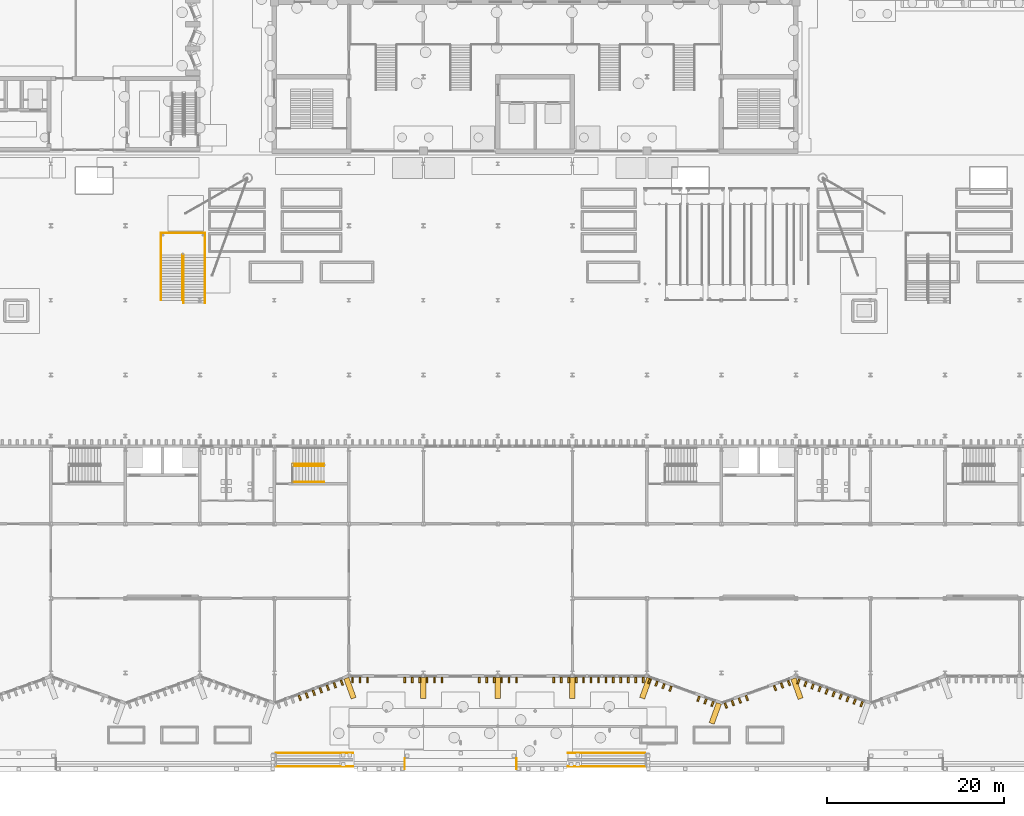
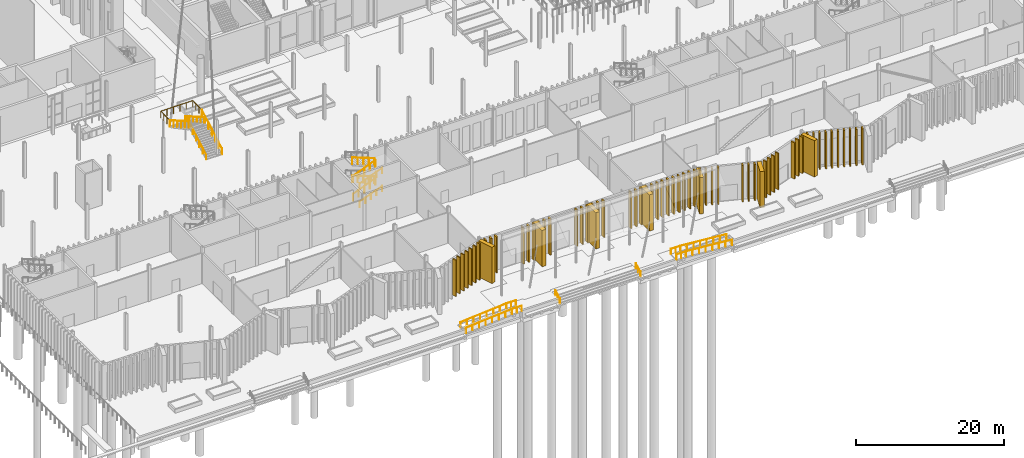
# One storey, part 89 of 108: 66 coverings, 17 railings.
"""IFC4 building model written with IfcOpenShell, lengths in metres."""

from ifc_helpers import new_model, si_unit, direction, frame, origin, origin_2d, place, context, subcontext, project, spatial, rectangle, circle, extrude, material, type_object, element, save


model = new_model("IFC4")

# Units and contexts
model_context = context("Model", 3, precision=1e-05, world=origin(), true_north=direction((0.0, 1.0)))
body_context = subcontext(model_context, "Body", "Model", "MODEL_VIEW")
ifc_project = project(units=[si_unit("LENGTHUNIT", "METRE"), si_unit("AREAUNIT", "SQUARE_METRE"), si_unit("VOLUMEUNIT", "CUBIC_METRE"), si_unit("PLANEANGLEUNIT", "RADIAN"), si_unit("MASSUNIT", "GRAM", prefix="KILO")], contexts=[model_context])

# Site, building, storey
site_placement = place(None, origin())
site = spatial("IfcSite", under=ifc_project, at=site_placement, CompositionType="ELEMENT")
building_placement = place(site_placement, origin())
building = spatial("IfcBuilding", under=site, at=building_placement, Name="Cresset Court Congress Hotel", CompositionType="ELEMENT")
storey_placement = place(building_placement, origin())
storey = spatial("IfcBuildingStorey", under=building, at=storey_placement, Name="L00", CompositionType="ELEMENT", Elevation=0.0)

# Railings
ifc_material_1 = material(Name="Steel and laminated glass", Category="steel")
railing_type_1 = type_object("IfcRailingType", Name="Guard 1100 steel and glass", PredefinedType="GUARDRAIL", material=ifc_material_1)
railing_1_placement = place(storey_placement, frame((60.89990234375, 23.300048828125, 0.136474609375)))
element("IfcRailing", 1, at=railing_1_placement, inside=storey, type_object=railing_type_1, Name="L00 ST-B3 stair guard 1", PredefinedType="GUARDRAIL", context=body_context, shape_type="SweptSolid", body=[
    extrude(circle(Radius=0.02392578125, at=origin_2d()), frame((0.0, 0.0, 1.076171875), z_axis=(0.931787385211, 0.0, 0.3630045024), x_axis=(0.0, 1.0, 0.0)), (0.0, 0.0, 1.0), 3.756103515625),
    extrude(circle(Radius=0.02099609375, at=origin_2d()), origin(), (0.0, 0.0, 1.0), 1.052001953125),
    extrude(circle(Radius=0.02099609375, at=origin_2d()), frame((0.875, 0.0, 0.3408203125)), (0.0, 0.0, 1.0), 1.052001953125),
    extrude(circle(Radius=0.02099609375, at=origin_2d()), frame((1.75, 0.0, 0.681640625)), (0.0, 0.0, 1.0), 1.052001953125),
    extrude(circle(Radius=0.02099609375, at=origin_2d()), frame((2.625, 0.0, 1.022705078125)), (0.0, 0.0, 1.0), 1.052001953125),
    extrude(circle(Radius=0.02099609375, at=origin_2d()), frame((3.5, 0.0, 1.363525390625)), (0.0, 0.0, 1.0), 1.052001953125),
])
railing_2_placement = place(storey_placement, frame((64.39990234375, 23.550048828125, 1.636474609375)))
element("IfcRailing", 2, at=railing_2_placement, inside=storey, type_object=railing_type_1, Name="L00 ST-B3 stair guard 3", PredefinedType="GUARDRAIL", context=body_context, shape_type="SweptSolid", body=[
    extrude(circle(Radius=0.02392578125, at=origin_2d()), frame((0.0, 0.0, 1.076171875), z_axis=(-0.931787385211, 0.0, 0.3630045024), x_axis=(0.0, -1.0, 0.0)), (0.0, 0.0, 1.0), 3.756103515625),
    extrude(circle(Radius=0.02099609375, at=origin_2d()), origin(), (0.0, 0.0, 1.0), 1.052001953125),
    extrude(circle(Radius=0.02099609375, at=origin_2d()), frame((-0.875, 0.0, 0.3408203125)), (0.0, 0.0, 1.0), 1.052001953125),
    extrude(circle(Radius=0.02099609375, at=origin_2d()), frame((-1.75, 0.0, 0.681640625)), (0.0, 0.0, 1.0), 1.052001953125),
    extrude(circle(Radius=0.02099609375, at=origin_2d()), frame((-2.625, 0.0, 1.022705078125)), (0.0, 0.0, 1.0), 1.052001953125),
    extrude(circle(Radius=0.02099609375, at=origin_2d()), frame((-3.5, 0.0, 1.363525390625)), (0.0, 0.0, 1.0), 1.052001953125),
])
railing_3_placement = place(storey_placement, frame((60.89990234375, 23.300048828125, 3.136474609375)))
element("IfcRailing", 3, at=railing_3_placement, inside=storey, type_object=railing_type_1, Name="L00 ST-B3 stair guard 5", PredefinedType="GUARDRAIL", context=body_context, shape_type="SweptSolid", body=[
    extrude(circle(Radius=0.02392578125, at=origin_2d()), frame((0.0, 0.0, 1.076171875), z_axis=(0.931787385211, 0.0, 0.3630045024), x_axis=(0.0, 1.0, 0.0)), (0.0, 0.0, 1.0), 3.756103515625),
    extrude(circle(Radius=0.02099609375, at=origin_2d()), origin(), (0.0, 0.0, 1.0), 1.052001953125),
    extrude(circle(Radius=0.02099609375, at=origin_2d()), frame((0.875, 0.0, 0.3408203125)), (0.0, 0.0, 1.0), 1.052001953125),
    extrude(circle(Radius=0.02099609375, at=origin_2d()), frame((1.75, 0.0, 0.681640625)), (0.0, 0.0, 1.0), 1.052001953125),
    extrude(circle(Radius=0.02099609375, at=origin_2d()), frame((2.625, 0.0, 1.022705078125)), (0.0, 0.0, 1.0), 1.052001953125),
    extrude(circle(Radius=0.02099609375, at=origin_2d()), frame((3.5, 0.0, 1.363525390625)), (0.0, 0.0, 1.0), 1.052001953125),
])
railing_4_placement = place(storey_placement, frame((64.39990234375, 23.550048828125, 4.636474609375)))
element("IfcRailing", 4, at=railing_4_placement, inside=storey, type_object=railing_type_1, Name="L00 ST-B3 stair guard 7", PredefinedType="GUARDRAIL", context=body_context, shape_type="SweptSolid", body=[
    extrude(circle(Radius=0.02392578125, at=origin_2d()), frame((0.0, 0.0, 1.076171875), z_axis=(-0.931787385211, 0.0, 0.3630045024), x_axis=(0.0, -1.0, 0.0)), (0.0, 0.0, 1.0), 3.756103515625),
    extrude(circle(Radius=0.02099609375, at=origin_2d()), origin(), (0.0, 0.0, 1.0), 1.052001953125),
    extrude(circle(Radius=0.02099609375, at=origin_2d()), frame((-0.875, 0.0, 0.3408203125)), (0.0, 0.0, 1.0), 1.052001953125),
    extrude(circle(Radius=0.02099609375, at=origin_2d()), frame((-1.75, 0.0, 0.681640625)), (0.0, 0.0, 1.0), 1.052001953125),
    extrude(circle(Radius=0.02099609375, at=origin_2d()), frame((-2.625, 0.0, 1.022705078125)), (0.0, 0.0, 1.0), 1.052001953125),
    extrude(circle(Radius=0.02099609375, at=origin_2d()), frame((-3.5, 0.0, 1.363525390625)), (0.0, 0.0, 1.0), 1.052001953125),
])
ifc_material_2 = material(Name="Galvanised steel", Category="steel")
railing_type_2 = type_object("IfcRailingType", Name="Guard 1100 steel balusters", PredefinedType="GUARDRAIL", material=ifc_material_2)
railing_5_placement = place(storey_placement, frame((46.0, 47.10009765625, 3.0810546875)))
element("IfcRailing", 5, at=railing_5_placement, inside=storey, type_object=railing_type_2, Name="Stair guard D02", PredefinedType="GUARDRAIL", context=body_context, shape_type="SweptSolid", body=[
    extrude(circle(Radius=0.02490234375, at=origin_2d()), frame((0.0, 0.0, 1.0751953125), z_axis=(0.0, 1.0, 0.0), x_axis=(-1.0, 0.0, 0.0)), (0.0, 0.0, 1.0), 2.5),
    extrude(circle(Radius=0.02490234375, at=origin_2d()), frame((0.0, 2.5, 1.0751953125), z_axis=(1.0, 0.0, 0.0), x_axis=(0.0, 1.0, 0.0)), (0.0, 0.0, 1.0), 5.0),
    extrude(circle(Radius=0.02490234375, at=origin_2d()), frame((5.0, 2.5, 1.0751953125), z_axis=(0.0, -1.0, 0.0), x_axis=(1.0, 0.0, 0.0)), (0.0, 0.0, 1.0), 2.5),
    extrude(circle(Radius=0.02001953125, at=origin_2d()), origin(), (0.0, 0.0, 1.0), 1.050048828125),
    extrude(circle(Radius=0.02001953125, at=origin_2d()), frame((0.0, 0.833251953125, 0.0)), (0.0, 0.0, 1.0), 1.050048828125),
    extrude(circle(Radius=0.02001953125, at=origin_2d()), frame((0.0, 1.666748046875, 0.0)), (0.0, 0.0, 1.0), 1.050048828125),
    extrude(circle(Radius=0.02001953125, at=origin_2d()), frame((0.0, 2.5, 0.0)), (0.0, 0.0, 1.0), 1.050048828125),
    extrude(circle(Radius=0.02001953125, at=origin_2d()), frame((1.0, 2.5, 0.0)), (0.0, 0.0, 1.0), 1.050048828125),
    extrude(circle(Radius=0.02001953125, at=origin_2d()), frame((2.0, 2.5, 0.0)), (0.0, 0.0, 1.0), 1.050048828125),
    extrude(circle(Radius=0.02001953125, at=origin_2d()), frame((3.0, 2.5, 0.0)), (0.0, 0.0, 1.0), 1.050048828125),
    extrude(circle(Radius=0.02001953125, at=origin_2d()), frame((4.0, 2.5, 0.0)), (0.0, 0.0, 1.0), 1.050048828125),
    extrude(circle(Radius=0.02001953125, at=origin_2d()), frame((5.0, 2.5, 0.0)), (0.0, 0.0, 1.0), 1.050048828125),
    extrude(circle(Radius=0.02001953125, at=origin_2d()), frame((5.0, 1.666748046875, 0.0)), (0.0, 0.0, 1.0), 1.050048828125),
    extrude(circle(Radius=0.02001953125, at=origin_2d()), frame((5.0, 0.833251953125, 0.0)), (0.0, 0.0, 1.0), 1.050048828125),
    extrude(circle(Radius=0.02001953125, at=origin_2d()), frame((5.0, 0.0, 0.0)), (0.0, 0.0, 1.0), 1.050048828125),
])
railing_6_placement = place(storey_placement, frame((46.0, 42.0, 6.0)))
element("IfcRailing", 6, at=railing_6_placement, inside=storey, type_object=railing_type_2, Name="Stair side guard D02A", PredefinedType="GUARDRAIL", context=body_context, shape_type="SweptSolid", body=[
    extrude(circle(Radius=0.02490234375, at=origin_2d()), frame((0.0, 0.0, 1.0751953125), z_axis=(0.0, 0.867905456201, -0.496729422419), x_axis=(-1.0, 0.0, 0.0)), (0.0, 0.0, 1.0), 5.876220703125),
    extrude(circle(Radius=0.02001953125, at=origin_2d()), origin(), (0.0, 0.0, 1.0), 1.050048828125),
    extrude(circle(Radius=0.02001953125, at=origin_2d()), frame((0.0, 1.02001953125, -0.583740234375)), (0.0, 0.0, 1.0), 1.050048828125),
    extrude(circle(Radius=0.02001953125, at=origin_2d()), frame((0.0, 2.0400390625, -1.16748046875)), (0.0, 0.0, 1.0), 1.050048828125),
    extrude(circle(Radius=0.02001953125, at=origin_2d()), frame((0.0, 3.06005859375, -1.75146484375)), (0.0, 0.0, 1.0), 1.050048828125),
    extrude(circle(Radius=0.02001953125, at=origin_2d()), frame((0.0, 4.080078125, -2.335205078125)), (0.0, 0.0, 1.0), 1.050048828125),
    extrude(circle(Radius=0.02001953125, at=origin_2d()), frame((0.0, 5.10009765625, -2.9189453125)), (0.0, 0.0, 1.0), 1.050048828125),
])
railing_7_placement = place(storey_placement, frame((51.0, 47.10009765625, 3.0810546875)))
element("IfcRailing", 7, at=railing_7_placement, inside=storey, type_object=railing_type_2, Name="Stair side guard D02B", PredefinedType="GUARDRAIL", context=body_context, shape_type="SweptSolid", body=[
    extrude(circle(Radius=0.02490234375, at=origin_2d()), frame((0.0, 0.0, 1.0751953125), z_axis=(0.0, -0.868571595618, -0.49556370255), x_axis=(1.0, 0.0, 0.0)), (0.0, 0.0, 1.0), 6.21728515625),
    extrude(circle(Radius=0.02001953125, at=origin_2d()), origin(), (0.0, 0.0, 1.0), 1.050048828125),
    extrude(circle(Radius=0.02001953125, at=origin_2d()), frame((0.0, -0.89990234375, -0.513427734375)), (0.0, 0.0, 1.0), 1.050048828125),
    extrude(circle(Radius=0.02001953125, at=origin_2d()), frame((0.0, -1.800048828125, -1.027099609375)), (0.0, 0.0, 1.0), 1.050048828125),
    extrude(circle(Radius=0.02001953125, at=origin_2d()), frame((0.0, -2.7001953125, -1.54052734375)), (0.0, 0.0, 1.0), 1.050048828125),
    extrude(circle(Radius=0.02001953125, at=origin_2d()), frame((0.0, -3.60009765625, -2.053955078125)), (0.0, 0.0, 1.0), 1.050048828125),
    extrude(circle(Radius=0.02001953125, at=origin_2d()), frame((0.0, -4.5, -2.567626953125)), (0.0, 0.0, 1.0), 1.050048828125),
    extrude(circle(Radius=0.02001953125, at=origin_2d()), frame((0.0, -5.400146484375, -3.0810546875)), (0.0, 0.0, 1.0), 1.050048828125),
])
ifc_material_3 = material(Name="Stainless steel", Category="steel")
railing_type_3 = type_object("IfcRailingType", Name="Handrail 48 stainless", PredefinedType="HANDRAIL", material=ifc_material_3)
for number, where, name in (
    (8, (60.89990234375, 21.5, 0.136474609375), "L00 ST-B3 stair handrail 1"),
    (9, (60.89990234375, 21.5, 3.136474609375), "L00 ST-B3 stair handrail 3"),
):
    element("IfcRailing", number, at=place(storey_placement, frame(where)), inside=storey, type_object=railing_type_3, Name=name, PredefinedType="HANDRAIL", context=body_context, shape_type="SweptSolid", body=[
        extrude(circle(Radius=0.02392578125, at=origin_2d()), frame((0.0, 0.0, 0.8759765625), z_axis=(0.931787385211, 0.0, 0.3630045024), x_axis=(0.0, 1.0, 0.0)), (0.0, 0.0, 1.0), 3.756103515625),
        extrude(circle(Radius=0.02099609375, at=origin_2d()), origin(), (0.0, 0.0, 1.0), 0.851806640625),
        extrude(circle(Radius=0.02099609375, at=origin_2d()), frame((0.875, 0.0, 0.3408203125)), (0.0, 0.0, 1.0), 0.851806640625),
        extrude(circle(Radius=0.02099609375, at=origin_2d()), frame((1.75, 0.0, 0.681640625)), (0.0, 0.0, 1.0), 0.851806640625),
        extrude(circle(Radius=0.02099609375, at=origin_2d()), frame((2.625, 0.0, 1.022705078125)), (0.0, 0.0, 1.0), 0.851806640625),
        extrude(circle(Radius=0.02099609375, at=origin_2d()), frame((3.5, 0.0, 1.363525390625)), (0.0, 0.0, 1.0), 0.851806640625),
    ])
ifc_material_4 = material(Name="Stainless steel", Category="steel")
railing_type_4 = type_object("IfcRailingType", Name="Handrail 900 steel", PredefinedType="HANDRAIL", material=ifc_material_4)
for number, where, name in (
    (10, (73.5, -10.85009765625, -0.60009765625), "Handrail S02L"),
    (11, (86.10009765625, -10.85009765625, -0.60009765625), "Handrail S02R"),
):
    element("IfcRailing", number, at=place(storey_placement, frame(where)), inside=storey, type_object=railing_type_4, Name=name, PredefinedType="HANDRAIL", context=body_context, shape_type="SweptSolid", body=[
        extrude(circle(Radius=0.02490234375, at=origin_2d()), frame((0.0, 0.0, 0.875), z_axis=(0.0, 0.894427191, 0.4472135955), x_axis=(-1.0, 0.0, 0.0)), (0.0, 0.0, 1.0), 1.341796875),
        extrude(circle(Radius=0.02001953125, at=origin_2d()), origin(), (0.0, 0.0, 1.0), 0.849853515625),
        extrude(circle(Radius=0.02001953125, at=origin_2d()), frame((0.0, 0.60009765625, 0.300048828125)), (0.0, 0.0, 1.0), 0.849853515625),
        extrude(circle(Radius=0.02001953125, at=origin_2d()), frame((0.0, 1.2001953125, 0.60009765625)), (0.0, 0.0, 1.0), 0.849853515625),
    ])
for number, where, name in (
    (12, (59.0, -9.050048828125, -0.60009765625), "Ramp handrail S01L"),
    (13, (59.0, -10.550048828125, -0.60009765625), "Ramp handrail S01R"),
):
    element("IfcRailing", number, at=place(storey_placement, frame(where)), inside=storey, type_object=railing_type_4, Name=name, PredefinedType="HANDRAIL", context=body_context, shape_type="SweptSolid", body=[
        extrude(circle(Radius=0.02490234375, at=origin_2d()), frame((0.0, 0.0, 0.875), z_axis=(0.996544592923, 0.0, 0.083059462528), x_axis=(0.0, 1.0, 0.0)), (0.0, 0.0, 1.0), 7.224853515625),
        extrude(circle(Radius=0.02490234375, at=origin_2d()), frame((7.199951171875, 0.0, 1.47509765625), z_axis=(1.0, 0.0, 0.0), x_axis=(0.0, 1.0, 0.0)), (0.0, 0.0, 1.0), 1.5),
        extrude(circle(Radius=0.02001953125, at=origin_2d()), origin(), (0.0, 0.0, 1.0), 0.849853515625),
        extrude(circle(Radius=0.02001953125, at=origin_2d()), frame((1.028564453125, 0.0, 0.085693359375)), (0.0, 0.0, 1.0), 0.849853515625),
        extrude(circle(Radius=0.02001953125, at=origin_2d()), frame((2.05712890625, 0.0, 0.17138671875)), (0.0, 0.0, 1.0), 0.849853515625),
        extrude(circle(Radius=0.02001953125, at=origin_2d()), frame((3.085693359375, 0.0, 0.257080078125)), (0.0, 0.0, 1.0), 0.849853515625),
        extrude(circle(Radius=0.02001953125, at=origin_2d()), frame((4.1142578125, 0.0, 0.343017578125)), (0.0, 0.0, 1.0), 0.849853515625),
        extrude(circle(Radius=0.02001953125, at=origin_2d()), frame((5.142822265625, 0.0, 0.4287109375)), (0.0, 0.0, 1.0), 0.849853515625),
        extrude(circle(Radius=0.02001953125, at=origin_2d()), frame((6.17138671875, 0.0, 0.514404296875)), (0.0, 0.0, 1.0), 0.849853515625),
        extrude(circle(Radius=0.02001953125, at=origin_2d()), frame((7.199951171875, 0.0, 0.60009765625)), (0.0, 0.0, 1.0), 0.849853515625),
        extrude(circle(Radius=0.02001953125, at=origin_2d()), frame((7.949951171875, 0.0, 0.60009765625)), (0.0, 0.0, 1.0), 0.849853515625),
        extrude(circle(Radius=0.02001953125, at=origin_2d()), frame((8.699951171875, 0.0, 0.60009765625)), (0.0, 0.0, 1.0), 0.849853515625),
    ])
for number, where, name in (
    (14, (100.60009765625, -10.550048828125, -0.60009765625), "Ramp handrail S02L"),
    (15, (100.60009765625, -9.050048828125, -0.60009765625), "Ramp handrail S02R"),
):
    element("IfcRailing", number, at=place(storey_placement, frame(where)), inside=storey, type_object=railing_type_4, Name=name, PredefinedType="HANDRAIL", context=body_context, shape_type="SweptSolid", body=[
        extrude(circle(Radius=0.02490234375, at=origin_2d()), frame((0.0, 0.0, 0.875), z_axis=(-0.996544826035, 0.0, 0.083056665618), x_axis=(0.0, -1.0, 0.0)), (0.0, 0.0, 1.0), 7.22509765625),
        extrude(circle(Radius=0.02490234375, at=origin_2d()), frame((-7.2001953125, 0.0, 1.47509765625), z_axis=(-1.0, 0.0, 0.0), x_axis=(0.0, -1.0, 0.0)), (0.0, 0.0, 1.0), 1.5),
        extrude(circle(Radius=0.02001953125, at=origin_2d()), origin(), (0.0, 0.0, 1.0), 0.849853515625),
        extrude(circle(Radius=0.02001953125, at=origin_2d()), frame((-1.028564453125, 0.0, 0.085693359375)), (0.0, 0.0, 1.0), 0.849853515625),
        extrude(circle(Radius=0.02001953125, at=origin_2d()), frame((-2.05712890625, 0.0, 0.17138671875)), (0.0, 0.0, 1.0), 0.849853515625),
        extrude(circle(Radius=0.02001953125, at=origin_2d()), frame((-3.085693359375, 0.0, 0.257080078125)), (0.0, 0.0, 1.0), 0.849853515625),
        extrude(circle(Radius=0.02001953125, at=origin_2d()), frame((-4.114501953125, 0.0, 0.343017578125)), (0.0, 0.0, 1.0), 0.849853515625),
        extrude(circle(Radius=0.02001953125, at=origin_2d()), frame((-5.14306640625, 0.0, 0.4287109375)), (0.0, 0.0, 1.0), 0.849853515625),
        extrude(circle(Radius=0.02001953125, at=origin_2d()), frame((-6.171630859375, 0.0, 0.514404296875)), (0.0, 0.0, 1.0), 0.849853515625),
        extrude(circle(Radius=0.02001953125, at=origin_2d()), frame((-7.2001953125, 0.0, 0.60009765625)), (0.0, 0.0, 1.0), 0.849853515625),
        extrude(circle(Radius=0.02001953125, at=origin_2d()), frame((-7.9501953125, 0.0, 0.60009765625)), (0.0, 0.0, 1.0), 0.849853515625),
        extrude(circle(Radius=0.02001953125, at=origin_2d()), frame((-8.7001953125, 0.0, 0.60009765625)), (0.0, 0.0, 1.0), 0.849853515625),
    ])
railing_8_placement = place(storey_placement, frame((48.449951171875, 47.10009765625, 3.0810546875)))
element("IfcRailing", 16, at=railing_8_placement, inside=storey, type_object=railing_type_4, Name="Stair handrail D02A", PredefinedType="HANDRAIL", context=body_context, shape_type="SweptSolid", body=[
    extrude(circle(Radius=0.02490234375, at=origin_2d()), frame((0.0, 0.0, 0.875), z_axis=(0.0, -0.867905456201, 0.496729422419), x_axis=(1.0, 0.0, 0.0)), (0.0, 0.0, 1.0), 5.876220703125),
    extrude(circle(Radius=0.02001953125, at=origin_2d()), origin(), (0.0, 0.0, 1.0), 0.849853515625),
    extrude(circle(Radius=0.02001953125, at=origin_2d()), frame((0.0, -1.02001953125, 0.583740234375)), (0.0, 0.0, 1.0), 0.849853515625),
    extrude(circle(Radius=0.02001953125, at=origin_2d()), frame((0.0, -2.0400390625, 1.16748046875)), (0.0, 0.0, 1.0), 0.849853515625),
    extrude(circle(Radius=0.02001953125, at=origin_2d()), frame((0.0, -3.06005859375, 1.75146484375)), (0.0, 0.0, 1.0), 0.849853515625),
    extrude(circle(Radius=0.02001953125, at=origin_2d()), frame((0.0, -4.080078125, 2.335205078125)), (0.0, 0.0, 1.0), 0.849853515625),
    extrude(circle(Radius=0.02001953125, at=origin_2d()), frame((0.0, -5.10009765625, 2.9189453125)), (0.0, 0.0, 1.0), 0.849853515625),
])
railing_9_placement = place(storey_placement, frame((48.550048828125, 47.10009765625, 3.0810546875)))
element("IfcRailing", 17, at=railing_9_placement, inside=storey, type_object=railing_type_4, Name="Stair handrail D02B", PredefinedType="HANDRAIL", context=body_context, shape_type="SweptSolid", body=[
    extrude(circle(Radius=0.02490234375, at=origin_2d()), frame((0.0, 0.0, 0.875), z_axis=(0.0, -0.868571595618, -0.49556370255), x_axis=(1.0, 0.0, 0.0)), (0.0, 0.0, 1.0), 6.21728515625),
    extrude(circle(Radius=0.02001953125, at=origin_2d()), origin(), (0.0, 0.0, 1.0), 0.849853515625),
    extrude(circle(Radius=0.02001953125, at=origin_2d()), frame((0.0, -0.89990234375, -0.513427734375)), (0.0, 0.0, 1.0), 0.849853515625),
    extrude(circle(Radius=0.02001953125, at=origin_2d()), frame((0.0, -1.800048828125, -1.027099609375)), (0.0, 0.0, 1.0), 0.849853515625),
    extrude(circle(Radius=0.02001953125, at=origin_2d()), frame((0.0, -2.7001953125, -1.54052734375)), (0.0, 0.0, 1.0), 0.849853515625),
    extrude(circle(Radius=0.02001953125, at=origin_2d()), frame((0.0, -3.60009765625, -2.053955078125)), (0.0, 0.0, 1.0), 0.849853515625),
    extrude(circle(Radius=0.02001953125, at=origin_2d()), frame((0.0, -4.5, -2.567626953125)), (0.0, 0.0, 1.0), 0.849853515625),
    extrude(circle(Radius=0.02001953125, at=origin_2d()), frame((0.0, -5.400146484375, -3.0810546875)), (0.0, 0.0, 1.0), 0.849853515625),
])

# Coverings
ifc_material_5 = material(Name="Precast concrete C50", Category="concrete")
covering_type_1 = type_object("IfcCoveringType", Name="Precast stone fin 200x600 variant 1", PredefinedType="CLADDING", material=ifc_material_5)
for number, where, z_axis, x_axis, name in (
    (18, (61.665771484375, -2.82861328125, 0.0), (0.0, 0.0, 1.0), (0.939956783309, 0.341293488819, 0.0), "Fin S00-063"),
    (19, (62.455322265625, -2.5419921875, 0.0), (0.0, 0.0, 1.0), (0.939956783309, 0.341293488819, 0.0), "Fin S00-064"),
    (20, (63.244873046875, -2.255126953125, 0.0), (0.0, 0.0, 1.0), (0.939956783309, 0.341293488819, 0.0), "Fin S00-065"),
    (21, (64.03466796875, -1.968505859375, 0.0), (0.0, 0.0, 1.0), (0.939956783309, 0.341293488819, 0.0), "Fin S00-066"),
    (22, (64.82421875, -1.681884765625, 0.0), (0.0, 0.0, 1.0), (0.939956783309, 0.341293488819, 0.0), "Fin S00-067"),
    (23, (65.61376953125, -1.395263671875, 0.0), (0.0, 0.0, 1.0), (0.939956783309, 0.341293488819, 0.0), "Fin S00-068"),
    (24, (66.4033203125, -1.1083984375, 0.0), (0.0, 0.0, 1.0), (0.939956783309, 0.341293488819, 0.0), "Fin S00-069"),
    (25, (101.09228515625, -0.92529296875, 0.0), (0.0, 0.0, 1.0), (0.939956783309, -0.341293488819, 0.0), "Fin S00-110"),
    (26, (101.8818359375, -1.2119140625, 0.0), (0.0, 0.0, 1.0), (0.939956783309, -0.341293488819, 0.0), "Fin S00-111"),
    (27, (102.671630859375, -1.498779296875, 0.0), (0.0, 0.0, 1.0), (0.939956783309, -0.341293488819, 0.0), "Fin S00-112"),
    (28, (103.461181640625, -1.785400390625, 0.0), (0.0, 0.0, 1.0), (0.939956783309, -0.341293488819, 0.0), "Fin S00-113"),
    (29, (106.619384765625, -2.93212890625, 0.0), (0.0, 0.0, 1.0), (0.939956783309, -0.341293488819, 0.0), "Fin S00-117"),
    (30, (107.408935546875, -3.21875, 0.0), (0.0, 0.0, 1.0), (0.939956783309, -0.341293488819, 0.0), "Fin S00-118"),
    (31, (108.198486328125, -3.505615234375, 0.0), (0.0, 0.0, 1.0), (0.939956783309, -0.341293488819, 0.0), "Fin S00-119"),
    (32, (109.696533203125, -3.691162109375, 0.0), (0.0, 0.0, 1.0), (0.94174205282, 0.336336001568, 0.0), "Fin S00-120"),
    (33, (110.487548828125, -3.40869140625, 0.0), (0.0, 0.0, 1.0), (0.94174205282, 0.336336001568, 0.0), "Fin S00-121"),
    (34, (111.278564453125, -3.126220703125, 0.0), (0.0, 0.0, 1.0), (0.94174205282, 0.336336001568, 0.0), "Fin S00-122"),
    (35, (112.069580078125, -2.84375, 0.0), (0.0, 0.0, 1.0), (0.94174205282, 0.336336001568, 0.0), "Fin S00-123"),
    (36, (115.23388671875, -1.713623046875, 0.0), (0.0, 0.0, 1.0), (0.94174205282, 0.336336001568, 0.0), "Fin S00-127"),
    (37, (116.02490234375, -1.43115234375, 0.0), (0.0, 0.0, 1.0), (0.94174205282, 0.336336001568, 0.0), "Fin S00-128"),
    (38, (116.81591796875, -1.1484375, 0.0), (0.0, 0.0, 1.0), (0.94174205282, 0.336336001568, 0.0), "Fin S00-129"),
    (39, (117.89453125, -0.973876953125, 0.0), (0.0, 0.0, 1.0), (0.94174205282, -0.336336001568, 0.0), "Fin S00-130"),
    (40, (118.685791015625, -1.25634765625, 0.0), (0.0, 0.0, 1.0), (0.94174205282, -0.336336001568, 0.0), "Fin S00-131"),
    (41, (119.476806640625, -1.538818359375, 0.0), (0.0, 0.0, 1.0), (0.94174205282, -0.336336001568, 0.0), "Fin S00-132"),
    (42, (120.267822265625, -1.8212890625, 0.0), (0.0, 0.0, 1.0), (0.94174205282, -0.336336001568, 0.0), "Fin S00-133"),
    (43, (121.058837890625, -2.103759765625, 0.0), (0.0, 0.0, 1.0), (0.94174205282, -0.336336001568, 0.0), "Fin S00-134"),
    (44, (121.849853515625, -2.386474609375, 0.0), (0.0, 0.0, 1.0), (0.94174205282, -0.336336001568, 0.0), "Fin S00-135"),
    (45, (122.64111328125, -2.6689453125, 0.0), (0.0, 0.0, 1.0), (0.94174205282, -0.336336001568, 0.0), "Fin S00-136"),
    (46, (123.43212890625, -2.951416015625, 0.0), (0.0, 0.0, 1.0), (0.94174205282, -0.336336001568, 0.0), "Fin S00-137"),
    (47, (124.22314453125, -3.23388671875, 0.0), (0.0, 0.0, 1.0), (0.94174205282, -0.336336001568, 0.0), "Fin S00-138"),
    (48, (125.01416015625, -3.5166015625, 0.0), (0.0, 0.0, 1.0), (0.94174205282, -0.336336001568, 0.0), "Fin S00-139"),
    (49, (67.6201171875, -0.800048828125, 0.0), (0.0, 0.0, 1.0), (1.0, 0.0, 0.0), "Fin S00-070"),
    (50, (68.4599609375, -0.800048828125, 0.0), (0.0, 0.0, 1.0), (1.0, 0.0, 0.0), "Fin S00-071"),
    (51, (69.300048828125, -0.800048828125, 0.0), (0.0, 0.0, 1.0), (1.0, 0.0, 0.0), "Fin S00-072"),
    (52, (73.5, -0.800048828125, 0.0), (0.0, 0.0, 1.0), (1.0, 0.0, 0.0), "Fin S00-077"),
    (53, (74.340087890625, -0.800048828125, 0.0), (0.0, 0.0, 1.0), (1.0, 0.0, 0.0), "Fin S00-078"),
    (54, (75.179931640625, -0.800048828125, 0.0), (0.0, 0.0, 1.0), (1.0, 0.0, 0.0), "Fin S00-079"),
    (55, (76.02001953125, -0.800048828125, 0.0), (0.0, 0.0, 1.0), (1.0, 0.0, 0.0), "Fin S00-080"),
    (56, (76.860107421875, -0.800048828125, 0.0), (0.0, 0.0, 1.0), (1.0, 0.0, 0.0), "Fin S00-081"),
    (57, (77.699951171875, -0.800048828125, 0.0), (0.0, 0.0, 1.0), (1.0, 0.0, 0.0), "Fin S00-082"),
    (58, (81.89990234375, -0.800048828125, 0.0), (0.0, 0.0, 1.0), (1.0, 0.0, 0.0), "Fin S00-087"),
    (59, (82.739990234375, -0.800048828125, 0.0), (0.0, 0.0, 1.0), (1.0, 0.0, 0.0), "Fin S00-088"),
    (60, (83.580078125, -0.800048828125, 0.0), (0.0, 0.0, 1.0), (1.0, 0.0, 0.0), "Fin S00-089"),
    (61, (84.419921875, -0.800048828125, 0.0), (0.0, 0.0, 1.0), (1.0, 0.0, 0.0), "Fin S00-090"),
    (62, (85.260009765625, -0.800048828125, 0.0), (0.0, 0.0, 1.0), (1.0, 0.0, 0.0), "Fin S00-091"),
    (63, (86.10009765625, -0.800048828125, 0.0), (0.0, 0.0, 1.0), (1.0, 0.0, 0.0), "Fin S00-092"),
    (64, (90.300048828125, -0.800048828125, 0.0), (0.0, 0.0, 1.0), (1.0, 0.0, 0.0), "Fin S00-097"),
    (65, (91.139892578125, -0.800048828125, 0.0), (0.0, 0.0, 1.0), (1.0, 0.0, 0.0), "Fin S00-098"),
    (66, (91.97998046875, -0.800048828125, 0.0), (0.0, 0.0, 1.0), (1.0, 0.0, 0.0), "Fin S00-099"),
    (67, (92.820068359375, -0.800048828125, 0.0), (0.0, 0.0, 1.0), (1.0, 0.0, 0.0), "Fin S00-100"),
    (68, (93.659912109375, -0.800048828125, 0.0), (0.0, 0.0, 1.0), (1.0, 0.0, 0.0), "Fin S00-101"),
    (69, (94.5, -0.800048828125, 0.0), (0.0, 0.0, 1.0), (1.0, 0.0, 0.0), "Fin S00-102"),
    (70, (95.340087890625, -0.800048828125, 0.0), (0.0, 0.0, 1.0), (1.0, 0.0, 0.0), "Fin S00-103"),
    (71, (96.179931640625, -0.800048828125, 0.0), (0.0, 0.0, 1.0), (1.0, 0.0, 0.0), "Fin S00-104"),
    (72, (97.02001953125, -0.800048828125, 0.0), (0.0, 0.0, 1.0), (1.0, 0.0, 0.0), "Fin S00-105"),
    (73, (97.860107421875, -0.800048828125, 0.0), (0.0, 0.0, 1.0), (1.0, 0.0, 0.0), "Fin S00-106"),
    (74, (98.699951171875, -0.800048828125, 0.0), (0.0, 0.0, 1.0), (1.0, 0.0, 0.0), "Fin S00-107"),
    (75, (99.5400390625, -0.800048828125, 0.0), (0.0, 0.0, 1.0), (1.0, 0.0, 0.0), "Fin S00-108"),
    (76, (100.3798828125, -0.800048828125, 0.0), (0.0, 0.0, 1.0), (1.0, 0.0, 0.0), "Fin S00-109"),
):
    element("IfcCovering", number, at=place(storey_placement, frame(where, z_axis=z_axis, x_axis=x_axis)), inside=storey, type_object=covering_type_1, Name=name, PredefinedType="CLADDING", context=body_context, shape_type="SweptSolid", body=[
        extrude(rectangle(XDim=0.199951171875, YDim=0.60009765625, at=origin_2d()), origin(), (0.0, 0.0, 1.0), 6.0),
    ])
ifc_material_6 = material(Name="Precast concrete C50", Category="concrete")
covering_type_2 = type_object("IfcCoveringType", Name="Precast stone pier 600x2400", PredefinedType="CLADDING", material=ifc_material_6)
for number, where, z_axis, x_axis, name in (
    (77, (67.32763671875, -1.730224609375, 0.0), (0.0, 0.0, 1.0), (0.939956783309, 0.341293488819, 0.0), "Pier S00-07"),
    (78, (108.508544921875, -4.575439453125, 0.0), (0.0, 0.0, 1.0), (0.939956783309, -0.341293488819, 0.0), "Pier S00-12"),
    (79, (100.67236328125, -1.730224609375, 0.0), (0.0, 0.0, 1.0), (0.939956783309, -0.341293488819, 0.0), "Pier S00-11"),
    (80, (117.72119140625, -1.781005859375, 0.0), (0.0, 0.0, 1.0), (0.94174205282, 0.336336001568, 0.0), "Pier S00-13"),
    (81, (75.60009765625, -1.699951171875, 0.0), (0.0, 0.0, 1.0), (1.0, 0.0, 0.0), "Pier S00-08"),
    (82, (84.0, -1.699951171875, 0.0), (0.0, 0.0, 1.0), (1.0, 0.0, 0.0), "Pier S00-09"),
    (83, (92.39990234375, -1.699951171875, 0.0), (0.0, 0.0, 1.0), (1.0, 0.0, 0.0), "Pier S00-10"),
):
    element("IfcCovering", number, at=place(storey_placement, frame(where, z_axis=z_axis, x_axis=x_axis)), inside=storey, type_object=covering_type_2, Name=name, PredefinedType="CLADDING", context=body_context, shape_type="SweptSolid", body=[
        extrude(rectangle(XDim=0.60009765625, YDim=2.39990234375, at=origin_2d()), origin(), (0.0, 0.0, 1.0), 6.0),
    ])

save(model, "model.ifc")
